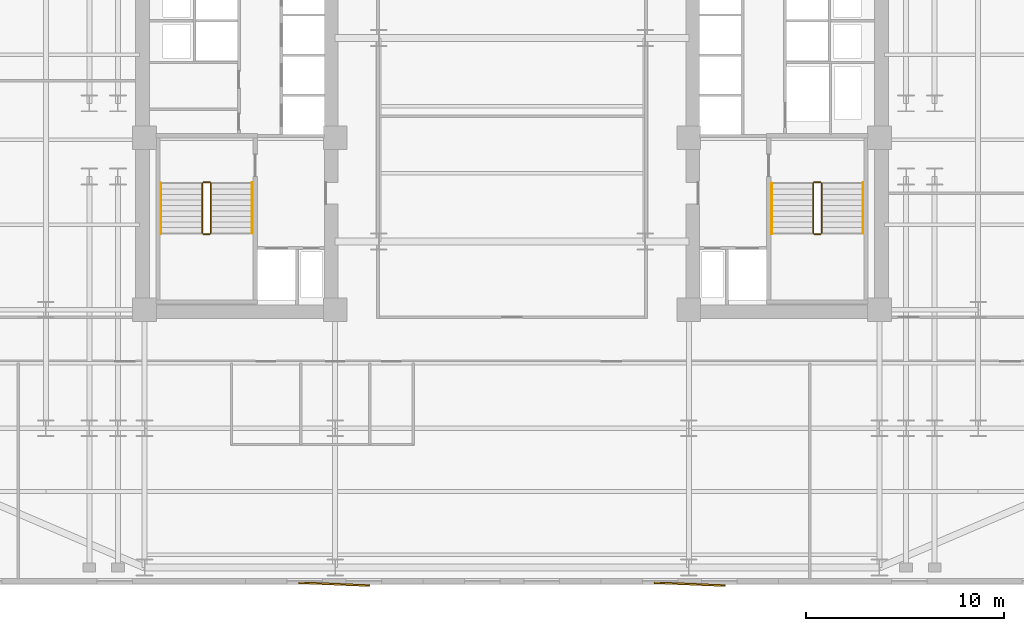
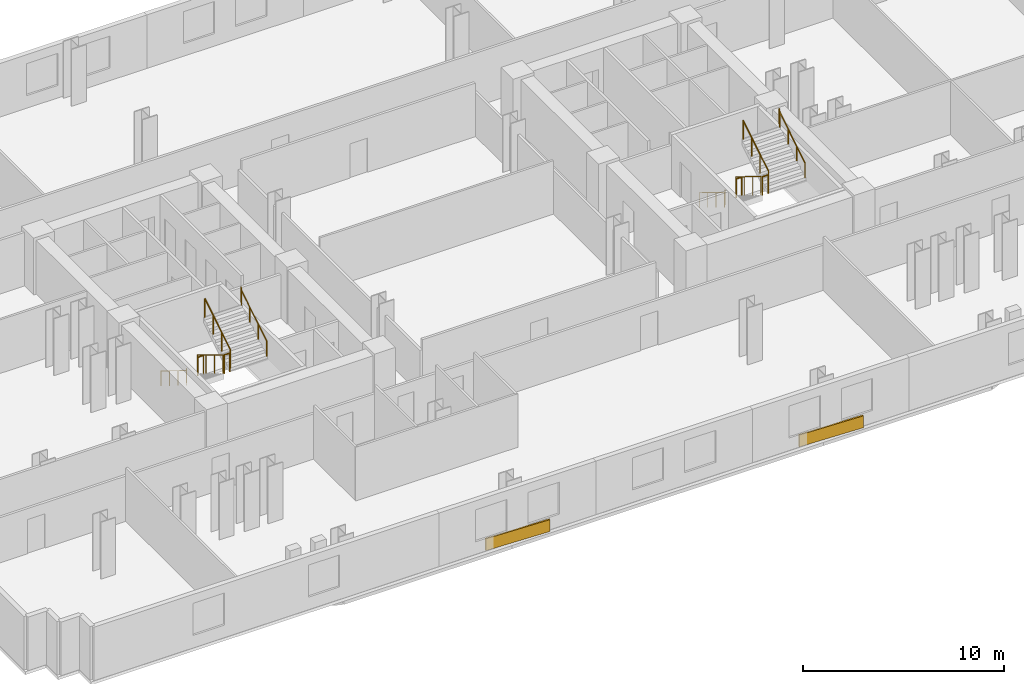
# One storey, part 9 of 10: 12 railings, 2 coverings.
"""IFC4 building model written with IfcOpenShell, lengths in metres."""

from ifc_helpers import new_model, si_unit, direction, frame, origin, origin_2d, place, context, subcontext, project, spatial, rectangle, circle, extrude, material, layer, layer_set, type_object, element, save


model = new_model("IFC4")

# Units and contexts
model_context = context("Model", 3, precision=1e-05, world=origin(), true_north=direction((0.0, 1.0)))
body_context = subcontext(model_context, "Body", "Model", "MODEL_VIEW")
ifc_project = project(units=[si_unit("LENGTHUNIT", "METRE"), si_unit("AREAUNIT", "SQUARE_METRE"), si_unit("VOLUMEUNIT", "CUBIC_METRE"), si_unit("PLANEANGLEUNIT", "RADIAN"), si_unit("MASSUNIT", "GRAM", prefix="KILO")], contexts=[model_context])

# Site, building, storey
site_placement = place(None, origin())
site = spatial("IfcSite", under=ifc_project, at=site_placement, CompositionType="ELEMENT")
building_placement = place(site_placement, origin())
building = spatial("IfcBuilding", under=site, at=building_placement, Name="Velakula Bourse", CompositionType="ELEMENT")
storey_placement = place(building_placement, frame((0.0, 0.0, 38.10009765625)))
storey = spatial("IfcBuildingStorey", under=building, at=storey_placement, Name="L09", CompositionType="ELEMENT", Elevation=38.10009765625)

# Coverings
ifc_material_1 = material(Name="Red kilned clay facing brick masonry", Category="masonry")
ifc_layer = layer(ifc_material_1, 0.090087890625, Name="Red kilned clay facing brick masonry", Category="masonry")
ifc_layer_set = layer_set([ifc_layer], Name="Red kilned clay facing brick masonry")
covering_type = type_object("IfcCoveringType", Name="COV-BRK-FOLD-90", PredefinedType="CLADDING", material=ifc_layer_set)
for number, where, z_axis, x_axis, name in (
    (1, (-9.0, -22.489990234375, 0.0), (0.0, 0.0, 1.0), (0.999158993058, -0.041003738744, 0.0), "L09 Folded Brick Facade Cladding Panel S-B2"),
    (2, (9.0, -22.489990234375, 0.0), (0.0, 0.0, 1.0), (0.999158993058, -0.041003738744, 0.0), "L09 Folded Brick Facade Cladding Panel S-B4"),
):
    element("IfcCovering", number, at=place(storey_placement, frame(where, z_axis=z_axis, x_axis=x_axis)), inside=storey, type_object=covering_type, Name=name, PredefinedType="CLADDING", context=body_context, shape_type="SweptSolid", body=[
        extrude(rectangle(XDim=3.60009765625, YDim=0.090087890625, at=origin_2d()), origin(), (0.0, 0.0, 1.0), 0.719970703125),
    ])

# Railings
ifc_material_2 = material(Name="Brushed grade 316 stainless steel", Category="steel")
railing_type_1 = type_object("IfcRailingType", Name="RLG-STAIR-GUARD-1150", PredefinedType="BALUSTRADE", material=ifc_material_2)
railing_1_placement = place(storey_placement, frame((-15.672119140625, -2.199951171875, 0.17236328125)))
element("IfcRailing", 3, at=railing_1_placement, inside=storey, type_object=railing_type_1, Name="L09 ST-W1 stair guard 1", PredefinedType="BALUSTRADE", context=body_context, shape_type="SweptSolid", body=[
    extrude(circle(Radius=0.02490234375, at=origin_2d()), frame((0.0, 0.0, 1.125), z_axis=(0.0, -0.851400495292, 0.524516154772), x_axis=(1.0, 0.0, 0.0)), (0.0, 0.0, 1.0), 2.9599609375),
    extrude(circle(Radius=0.02099609375, at=origin_2d()), origin(), (0.0, 0.0, 1.0), 1.099853515625),
    extrude(circle(Radius=0.02099609375, at=origin_2d()), frame((0.0, -0.840087890625, 0.517578125)), (0.0, 0.0, 1.0), 1.099853515625),
    extrude(circle(Radius=0.02099609375, at=origin_2d()), frame((0.0, -1.679931640625, 1.034912109375)), (0.0, 0.0, 1.0), 1.099853515625),
    extrude(circle(Radius=0.02099609375, at=origin_2d()), frame((0.0, -2.52001953125, 1.552490234375)), (0.0, 0.0, 1.0), 1.099853515625),
])
railing_2_placement = place(storey_placement, frame((-15.6220703125, -4.77001953125, 1.724853515625)))
element("IfcRailing", 4, at=railing_2_placement, inside=storey, type_object=railing_type_1, Name="L09 ST-W1 stair guard 2", PredefinedType="BALUSTRADE", context=body_context, shape_type="SweptSolid", body=[
    extrude(circle(Radius=0.02490234375, at=origin_2d()), frame((0.0, 0.0, 1.125), z_axis=(1.0, 0.0, 0.0), x_axis=(0.0, 1.0, 0.0)), (0.0, 0.0, 1.0), 0.323974609375),
    extrude(circle(Radius=0.02099609375, at=origin_2d()), origin(), (0.0, 0.0, 1.0), 1.099853515625),
    extrude(circle(Radius=0.02099609375, at=origin_2d()), frame((0.323974609375, 0.0, 0.0)), (0.0, 0.0, 1.0), 1.099853515625),
])
railing_3_placement = place(storey_placement, frame((-15.248046875, -4.719970703125, 1.8974609375)))
element("IfcRailing", 5, at=railing_3_placement, inside=storey, type_object=railing_type_1, Name="L09 ST-W1 stair guard 3", PredefinedType="BALUSTRADE", context=body_context, shape_type="SweptSolid", body=[
    extrude(circle(Radius=0.02490234375, at=origin_2d()), frame((0.0, 0.0, 1.125), z_axis=(0.0, 0.851400495292, 0.524516154772), x_axis=(-1.0, 0.0, 0.0)), (0.0, 0.0, 1.0), 2.9599609375),
    extrude(circle(Radius=0.02099609375, at=origin_2d()), origin(), (0.0, 0.0, 1.0), 1.099853515625),
    extrude(circle(Radius=0.02099609375, at=origin_2d()), frame((0.0, 0.840087890625, 0.517578125)), (0.0, 0.0, 1.0), 1.099853515625),
    extrude(circle(Radius=0.02099609375, at=origin_2d()), frame((0.0, 1.679931640625, 1.034912109375)), (0.0, 0.0, 1.0), 1.099853515625),
    extrude(circle(Radius=0.02099609375, at=origin_2d()), frame((0.0, 2.52001953125, 1.552490234375)), (0.0, 0.0, 1.0), 1.099853515625),
])
railing_4_placement = place(storey_placement, frame((-15.6220703125, -2.14990234375, 0.0)))
element("IfcRailing", 6, at=railing_4_placement, inside=storey, type_object=railing_type_1, Name="L09 ST-W1 stair guard 4", PredefinedType="BALUSTRADE", context=body_context, shape_type="SweptSolid", body=[
    extrude(circle(Radius=0.02490234375, at=origin_2d()), frame((0.0, 0.0, 1.125), z_axis=(1.0, 0.0, 0.0), x_axis=(0.0, 1.0, 0.0)), (0.0, 0.0, 1.0), 0.323974609375),
    extrude(circle(Radius=0.02099609375, at=origin_2d()), origin(), (0.0, 0.0, 1.0), 1.099853515625),
    extrude(circle(Radius=0.02099609375, at=origin_2d()), frame((0.323974609375, 0.0, 0.0)), (0.0, 0.0, 1.0), 1.099853515625),
])
railing_5_placement = place(storey_placement, frame((15.248046875, -2.199951171875, 0.17236328125)))
element("IfcRailing", 7, at=railing_5_placement, inside=storey, type_object=railing_type_1, Name="L09 ST-E1 stair guard 1", PredefinedType="BALUSTRADE", context=body_context, shape_type="SweptSolid", body=[
    extrude(circle(Radius=0.02490234375, at=origin_2d()), frame((0.0, 0.0, 1.125), z_axis=(0.0, -0.851400495292, 0.524516154772), x_axis=(1.0, 0.0, 0.0)), (0.0, 0.0, 1.0), 2.9599609375),
    extrude(circle(Radius=0.02099609375, at=origin_2d()), origin(), (0.0, 0.0, 1.0), 1.099853515625),
    extrude(circle(Radius=0.02099609375, at=origin_2d()), frame((0.0, -0.840087890625, 0.517578125)), (0.0, 0.0, 1.0), 1.099853515625),
    extrude(circle(Radius=0.02099609375, at=origin_2d()), frame((0.0, -1.679931640625, 1.034912109375)), (0.0, 0.0, 1.0), 1.099853515625),
    extrude(circle(Radius=0.02099609375, at=origin_2d()), frame((0.0, -2.52001953125, 1.552490234375)), (0.0, 0.0, 1.0), 1.099853515625),
])
railing_6_placement = place(storey_placement, frame((15.298095703125, -4.77001953125, 1.724853515625)))
element("IfcRailing", 8, at=railing_6_placement, inside=storey, type_object=railing_type_1, Name="L09 ST-E1 stair guard 2", PredefinedType="BALUSTRADE", context=body_context, shape_type="SweptSolid", body=[
    extrude(circle(Radius=0.02490234375, at=origin_2d()), frame((0.0, 0.0, 1.125), z_axis=(1.0, 0.0, 0.0), x_axis=(0.0, 1.0, 0.0)), (0.0, 0.0, 1.0), 0.323974609375),
    extrude(circle(Radius=0.02099609375, at=origin_2d()), origin(), (0.0, 0.0, 1.0), 1.099853515625),
    extrude(circle(Radius=0.02099609375, at=origin_2d()), frame((0.323974609375, 0.0, 0.0)), (0.0, 0.0, 1.0), 1.099853515625),
])
railing_7_placement = place(storey_placement, frame((15.672119140625, -4.719970703125, 1.8974609375)))
element("IfcRailing", 9, at=railing_7_placement, inside=storey, type_object=railing_type_1, Name="L09 ST-E1 stair guard 3", PredefinedType="BALUSTRADE", context=body_context, shape_type="SweptSolid", body=[
    extrude(circle(Radius=0.02490234375, at=origin_2d()), frame((0.0, 0.0, 1.125), z_axis=(0.0, 0.851400495292, 0.524516154772), x_axis=(-1.0, 0.0, 0.0)), (0.0, 0.0, 1.0), 2.9599609375),
    extrude(circle(Radius=0.02099609375, at=origin_2d()), origin(), (0.0, 0.0, 1.0), 1.099853515625),
    extrude(circle(Radius=0.02099609375, at=origin_2d()), frame((0.0, 0.840087890625, 0.517578125)), (0.0, 0.0, 1.0), 1.099853515625),
    extrude(circle(Radius=0.02099609375, at=origin_2d()), frame((0.0, 1.679931640625, 1.034912109375)), (0.0, 0.0, 1.0), 1.099853515625),
    extrude(circle(Radius=0.02099609375, at=origin_2d()), frame((0.0, 2.52001953125, 1.552490234375)), (0.0, 0.0, 1.0), 1.099853515625),
])
railing_8_placement = place(storey_placement, frame((15.298095703125, -2.14990234375, 0.0)))
element("IfcRailing", 10, at=railing_8_placement, inside=storey, type_object=railing_type_1, Name="L09 ST-E1 stair guard 4", PredefinedType="BALUSTRADE", context=body_context, shape_type="SweptSolid", body=[
    extrude(circle(Radius=0.02490234375, at=origin_2d()), frame((0.0, 0.0, 1.125), z_axis=(1.0, 0.0, 0.0), x_axis=(0.0, 1.0, 0.0)), (0.0, 0.0, 1.0), 0.323974609375),
    extrude(circle(Radius=0.02099609375, at=origin_2d()), origin(), (0.0, 0.0, 1.0), 1.099853515625),
    extrude(circle(Radius=0.02099609375, at=origin_2d()), frame((0.323974609375, 0.0, 0.0)), (0.0, 0.0, 1.0), 1.099853515625),
])
railing_type_2 = type_object("IfcRailingType", Name="RLG-STAIR-HAND-920", PredefinedType="HANDRAIL", material=ifc_material_2)
railing_9_placement = place(storey_placement, frame((-17.77001953125, -2.199951171875, 0.17236328125)))
element("IfcRailing", 11, at=railing_9_placement, inside=storey, type_object=railing_type_2, Name="L09 ST-W1 stair handrail 1", PredefinedType="HANDRAIL", context=body_context, shape_type="SweptSolid", body=[
    extrude(circle(Radius=0.02099609375, at=origin_2d()), frame((0.0, 0.0, 0.89892578125), z_axis=(0.0, -0.851400495292, 0.524516154772), x_axis=(1.0, 0.0, 0.0)), (0.0, 0.0, 1.0), 2.9599609375),
    extrude(circle(Radius=0.02099609375, at=origin_2d()), frame((0.0, -2.52001953125, 2.451416015625), z_axis=(0.0, -0.22596628056, 0.974135124123), x_axis=(1.0, 0.0, 0.0)), (0.0, 0.0, 1.0), 0.17724609375),
    extrude(circle(Radius=0.02099609375, at=origin_2d()), frame((0.0, -2.56005859375, 2.6240234375), z_axis=(0.0, -1.0, 0.0), x_axis=(1.0, 0.0, 0.0)), (0.0, 0.0, 1.0), 0.0048828125),
    extrude(circle(Radius=0.02099609375, at=origin_2d()), origin(), (0.0, 0.0, 1.0), 0.8779296875),
    extrude(circle(Radius=0.02099609375, at=origin_2d()), frame((0.0, -0.840087890625, 0.517578125)), (0.0, 0.0, 1.0), 0.8779296875),
    extrude(circle(Radius=0.02099609375, at=origin_2d()), frame((0.0, -1.679931640625, 1.034912109375)), (0.0, 0.0, 1.0), 0.8779296875),
    extrude(circle(Radius=0.02099609375, at=origin_2d()), frame((0.0, -2.52001953125, 1.552490234375)), (0.0, 0.0, 1.0), 0.8779296875),
    extrude(circle(Radius=0.02099609375, at=origin_2d()), frame((0.0, -2.56005859375, 1.72509765625)), (0.0, 0.0, 1.0), 0.8779296875),
    extrude(circle(Radius=0.02099609375, at=origin_2d()), frame((0.0, -2.56494140625, 1.72509765625)), (0.0, 0.0, 1.0), 0.8779296875),
])
railing_10_placement = place(storey_placement, frame((-13.14990234375, -4.719970703125, 1.8974609375)))
element("IfcRailing", 12, at=railing_10_placement, inside=storey, type_object=railing_type_2, Name="L09 ST-W1 stair handrail 2", PredefinedType="HANDRAIL", context=body_context, shape_type="SweptSolid", body=[
    extrude(circle(Radius=0.02099609375, at=origin_2d()), frame((0.0, 0.0, 0.89892578125), z_axis=(0.0, 0.851400495292, 0.524516154772), x_axis=(-1.0, 0.0, 0.0)), (0.0, 0.0, 1.0), 2.9599609375),
    extrude(circle(Radius=0.02099609375, at=origin_2d()), frame((0.0, 2.52001953125, 2.451416015625), z_axis=(0.0, 0.226269970362, 0.974064628509), x_axis=(-1.0, 0.0, 0.0)), (0.0, 0.0, 1.0), 0.177001953125),
    extrude(circle(Radius=0.02099609375, at=origin_2d()), frame((0.0, 2.56005859375, 2.623779296875), z_axis=(0.0, 1.0, 0.0), x_axis=(-1.0, 0.0, 0.0)), (0.0, 0.0, 1.0), 0.0048828125),
    extrude(circle(Radius=0.02099609375, at=origin_2d()), origin(), (0.0, 0.0, 1.0), 0.8779296875),
    extrude(circle(Radius=0.02099609375, at=origin_2d()), frame((0.0, 0.840087890625, 0.517578125)), (0.0, 0.0, 1.0), 0.8779296875),
    extrude(circle(Radius=0.02099609375, at=origin_2d()), frame((0.0, 1.679931640625, 1.034912109375)), (0.0, 0.0, 1.0), 0.8779296875),
    extrude(circle(Radius=0.02099609375, at=origin_2d()), frame((0.0, 2.52001953125, 1.552490234375)), (0.0, 0.0, 1.0), 0.8779296875),
    extrude(circle(Radius=0.02099609375, at=origin_2d()), frame((0.0, 2.56005859375, 1.724853515625)), (0.0, 0.0, 1.0), 0.8779296875),
    extrude(circle(Radius=0.02099609375, at=origin_2d()), frame((0.0, 2.56494140625, 1.724853515625)), (0.0, 0.0, 1.0), 0.8779296875),
])
railing_11_placement = place(storey_placement, frame((13.14990234375, -2.199951171875, 0.17236328125)))
element("IfcRailing", 13, at=railing_11_placement, inside=storey, type_object=railing_type_2, Name="L09 ST-E1 stair handrail 1", PredefinedType="HANDRAIL", context=body_context, shape_type="SweptSolid", body=[
    extrude(circle(Radius=0.02099609375, at=origin_2d()), frame((0.0, 0.0, 0.89892578125), z_axis=(0.0, -0.851400495292, 0.524516154772), x_axis=(1.0, 0.0, 0.0)), (0.0, 0.0, 1.0), 2.9599609375),
    extrude(circle(Radius=0.02099609375, at=origin_2d()), frame((0.0, -2.52001953125, 2.451416015625), z_axis=(0.0, -0.22596628056, 0.974135124123), x_axis=(1.0, 0.0, 0.0)), (0.0, 0.0, 1.0), 0.17724609375),
    extrude(circle(Radius=0.02099609375, at=origin_2d()), frame((0.0, -2.56005859375, 2.6240234375), z_axis=(0.0, -1.0, 0.0), x_axis=(1.0, 0.0, 0.0)), (0.0, 0.0, 1.0), 0.0048828125),
    extrude(circle(Radius=0.02099609375, at=origin_2d()), origin(), (0.0, 0.0, 1.0), 0.8779296875),
    extrude(circle(Radius=0.02099609375, at=origin_2d()), frame((0.0, -0.840087890625, 0.517578125)), (0.0, 0.0, 1.0), 0.8779296875),
    extrude(circle(Radius=0.02099609375, at=origin_2d()), frame((0.0, -1.679931640625, 1.034912109375)), (0.0, 0.0, 1.0), 0.8779296875),
    extrude(circle(Radius=0.02099609375, at=origin_2d()), frame((0.0, -2.52001953125, 1.552490234375)), (0.0, 0.0, 1.0), 0.8779296875),
    extrude(circle(Radius=0.02099609375, at=origin_2d()), frame((0.0, -2.56005859375, 1.72509765625)), (0.0, 0.0, 1.0), 0.8779296875),
    extrude(circle(Radius=0.02099609375, at=origin_2d()), frame((0.0, -2.56494140625, 1.72509765625)), (0.0, 0.0, 1.0), 0.8779296875),
])
railing_12_placement = place(storey_placement, frame((17.77001953125, -4.719970703125, 1.8974609375)))
element("IfcRailing", 14, at=railing_12_placement, inside=storey, type_object=railing_type_2, Name="L09 ST-E1 stair handrail 2", PredefinedType="HANDRAIL", context=body_context, shape_type="SweptSolid", body=[
    extrude(circle(Radius=0.02099609375, at=origin_2d()), frame((0.0, 0.0, 0.89892578125), z_axis=(0.0, 0.851400495292, 0.524516154772), x_axis=(-1.0, 0.0, 0.0)), (0.0, 0.0, 1.0), 2.9599609375),
    extrude(circle(Radius=0.02099609375, at=origin_2d()), frame((0.0, 2.52001953125, 2.451416015625), z_axis=(0.0, 0.226269970362, 0.974064628509), x_axis=(-1.0, 0.0, 0.0)), (0.0, 0.0, 1.0), 0.177001953125),
    extrude(circle(Radius=0.02099609375, at=origin_2d()), frame((0.0, 2.56005859375, 2.623779296875), z_axis=(0.0, 1.0, 0.0), x_axis=(-1.0, 0.0, 0.0)), (0.0, 0.0, 1.0), 0.0048828125),
    extrude(circle(Radius=0.02099609375, at=origin_2d()), origin(), (0.0, 0.0, 1.0), 0.8779296875),
    extrude(circle(Radius=0.02099609375, at=origin_2d()), frame((0.0, 0.840087890625, 0.517578125)), (0.0, 0.0, 1.0), 0.8779296875),
    extrude(circle(Radius=0.02099609375, at=origin_2d()), frame((0.0, 1.679931640625, 1.034912109375)), (0.0, 0.0, 1.0), 0.8779296875),
    extrude(circle(Radius=0.02099609375, at=origin_2d()), frame((0.0, 2.52001953125, 1.552490234375)), (0.0, 0.0, 1.0), 0.8779296875),
    extrude(circle(Radius=0.02099609375, at=origin_2d()), frame((0.0, 2.56005859375, 1.724853515625)), (0.0, 0.0, 1.0), 0.8779296875),
    extrude(circle(Radius=0.02099609375, at=origin_2d()), frame((0.0, 2.56494140625, 1.724853515625)), (0.0, 0.0, 1.0), 0.8779296875),
])

save(model, "model.ifc")
